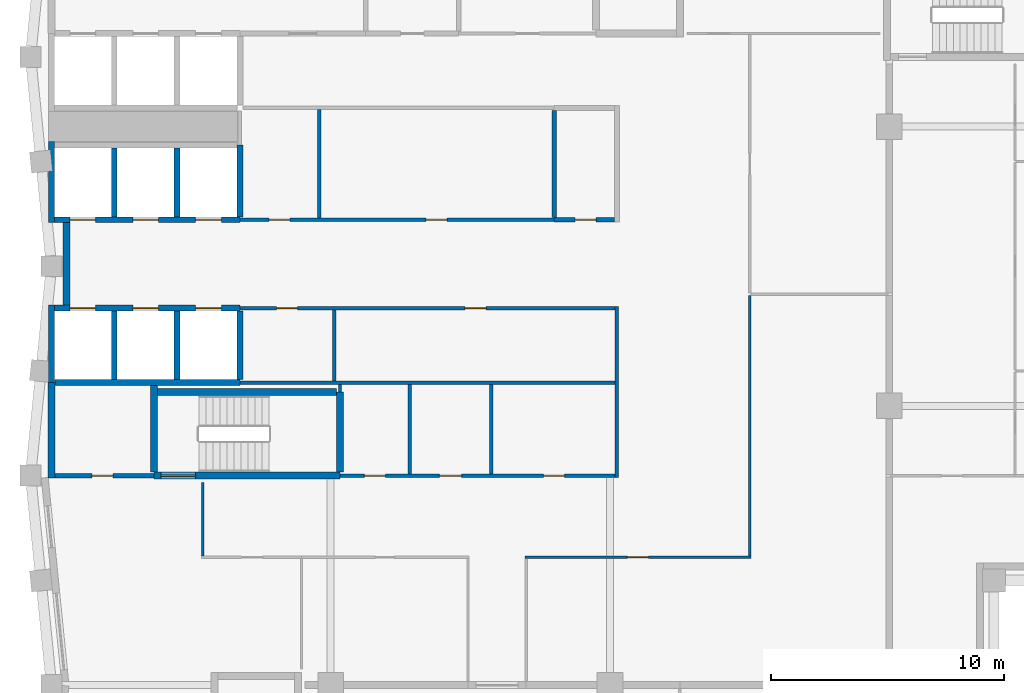
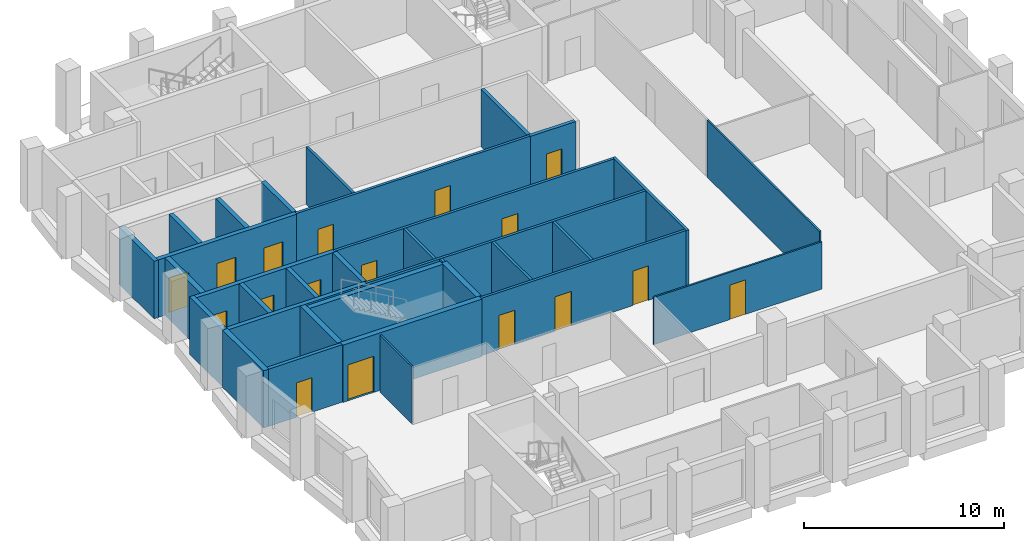
# One storey, part 3 of 7: 33 walls, 17 doors, 17 openings.
"""IFC4 building model written with IfcOpenShell, lengths in metres."""

from ifc_helpers import new_model, si_unit, direction, frame, frame_2d, origin, place, context, subcontext, project, spatial, rectangle, extrude, material, layer, layer_set, type_object, element, fill, save


model = new_model("IFC4")

# Units and contexts
model_context = context("Model", 3, precision=1e-05, world=origin(), true_north=direction((0.0, 1.0)))
body_context = subcontext(model_context, "Body", "Model", "MODEL_VIEW")
ifc_project = project(units=[si_unit("LENGTHUNIT", "METRE"), si_unit("AREAUNIT", "SQUARE_METRE"), si_unit("VOLUMEUNIT", "CUBIC_METRE"), si_unit("PLANEANGLEUNIT", "RADIAN"), si_unit("MASSUNIT", "GRAM", prefix="KILO")], contexts=[model_context])

# Site, building, storey
site_placement = place(None, origin())
site = spatial("IfcSite", under=ifc_project, at=site_placement, CompositionType="ELEMENT")
building_placement = place(site_placement, origin())
building = spatial("IfcBuilding", under=site, at=building_placement, Name="Brondeck Convention Tower", CompositionType="ELEMENT")
storey_placement = place(building_placement, frame((0.0, 0.0, 271.39990234375)))
storey = spatial("IfcBuildingStorey", under=building, at=storey_placement, Name="L67", CompositionType="ELEMENT", Elevation=271.39990234375)

# Wall, openings, doors
ifc_material_1 = material(Name="Concrete C50/60", Category="concrete")
ifc_layer_1 = layer(ifc_material_1, 0.14990234375)
ifc_layer_set_1 = layer_set([ifc_layer_1], Name="Core beam-seat wall 150 Concrete C50/60")
wall_type_1 = type_object("IfcWallType", Name="Core beam-seat wall 150 Concrete C50/60", PredefinedType="SHEAR", material=ifc_layer_set_1)
wall_1_placement = place(storey_placement, frame((12.39990234375, 36.0, 0.0), z_axis=(0.0, 0.0, 1.0), x_axis=(1.0, 0.0, 0.0)))
wall_1 = element("IfcWall", 1, at=wall_1_placement, inside=storey, type_object=wall_type_1, Name="L67 core wall", PredefinedType="SHEAR", context=body_context, shape_type="SweptSolid", body=[
    extrude(rectangle(XDim=11.8251953125, YDim=0.14990234375, at=frame_2d((5.91259765625, 0.0))), origin(), (0.0, 0.0, 1.0), 3.5),
])
opening_1_placement = place(wall_1_placement, frame((1.050048828125, 0.0, 0.0)))
opening_1 = element("IfcOpeningElement", 2, at=opening_1_placement, cuts=wall_1, Name="Opening C37-03", PredefinedType="OPENING", context=body_context, shape_type="SweptSolid", body=[
    extrude(rectangle(XDim=0.89990234375, YDim=2.10009765625, at=frame_2d((0.449951171875, 1.050048828125))), frame((0.0, 0.0849609375, 0.0), z_axis=(0.0, -1.0, 0.0), x_axis=(1.0, 0.0, 0.0)), (0.0, 0.0, 1.0), 0.169921875),
])
opening_2_placement = place(wall_1_placement, frame((4.27490234375, 0.0, 0.0)))
opening_2 = element("IfcOpeningElement", 3, at=opening_2_placement, cuts=wall_1, Name="Opening C37-04", PredefinedType="OPENING", context=body_context, shape_type="SweptSolid", body=[
    extrude(rectangle(XDim=0.949951171875, YDim=2.10009765625, at=frame_2d((0.47509765625, 1.050048828125))), frame((0.0, 0.0849609375, 0.0), z_axis=(0.0, -1.0, 0.0), x_axis=(1.0, 0.0, 0.0)), (0.0, 0.0, 1.0), 0.169921875),
])
opening_3_placement = place(wall_1_placement, frame((8.75, 0.0, 0.0)))
opening_3 = element("IfcOpeningElement", 4, at=opening_3_placement, cuts=wall_1, Name="Opening C37-05", PredefinedType="OPENING", context=body_context, shape_type="SweptSolid", body=[
    extrude(rectangle(XDim=0.89990234375, YDim=2.10009765625, at=frame_2d((0.449951171875, 1.050048828125))), frame((0.0, 0.0849609375, 0.0), z_axis=(0.0, -1.0, 0.0), x_axis=(1.0, 0.0, 0.0)), (0.0, 0.0, 1.0), 0.169921875),
])
ifc_material_2 = material(Name="Steel fire door", Category="steel")
door_type_1 = type_object("IfcDoorType", Name="Room door 900x2100 EI 60", OperationType="NOTDEFINED", PredefinedType="DOOR", material=ifc_material_2)
door_1_placement = place(opening_1_placement, origin())
door_1 = element("IfcDoor", 5, at=door_1_placement, inside=storey, type_object=door_type_1, Name="L67 Room door FR-1", OperationType="SINGLE_SWING_RIGHT", OverallHeight=2.10009765625, OverallWidth=0.89990234375, PredefinedType="DOOR", context=body_context, shape_type="SweptSolid", body=[
    extrude(rectangle(XDim=0.89990234375, YDim=2.10009765625, at=frame_2d((0.449951171875, 1.050048828125))), frame((0.0, 0.02490234375, 0.0), z_axis=(0.0, -1.0, 0.0), x_axis=(1.0, 0.0, 0.0)), (0.0, 0.0, 1.0), 0.050048828125),
])
fill(opening_1, door_1)
door_2_placement = place(opening_3_placement, origin())
door_2 = element("IfcDoor", 6, at=door_2_placement, inside=storey, type_object=door_type_1, Name="L67 Room door FR-3", OperationType="SINGLE_SWING_RIGHT", OverallHeight=2.10009765625, OverallWidth=0.89990234375, PredefinedType="DOOR", context=body_context, shape_type="SweptSolid", body=[
    extrude(rectangle(XDim=0.89990234375, YDim=2.10009765625, at=frame_2d((0.449951171875, 1.050048828125))), frame((0.0, 0.02490234375, 0.0), z_axis=(0.0, -1.0, 0.0), x_axis=(1.0, 0.0, 0.0)), (0.0, 0.0, 1.0), 0.050048828125),
])
fill(opening_3, door_2)
door_type_2 = type_object("IfcDoorType", Name="Room door 950x2100 EI 60", OperationType="NOTDEFINED", PredefinedType="DOOR", material=ifc_material_2)
door_3_placement = place(opening_2_placement, origin())
door_3 = element("IfcDoor", 7, at=door_3_placement, inside=storey, type_object=door_type_2, Name="L67 Room door FR-2", OperationType="SINGLE_SWING_LEFT", OverallHeight=2.10009765625, OverallWidth=0.949951171875, PredefinedType="DOOR", context=body_context, shape_type="SweptSolid", body=[
    extrude(rectangle(XDim=0.949951171875, YDim=2.10009765625, at=frame_2d((0.47509765625, 1.050048828125))), frame((0.0, 0.02490234375, 0.0), z_axis=(0.0, -1.0, 0.0), x_axis=(1.0, 0.0, 0.0)), (0.0, 0.0, 1.0), 0.050048828125),
])
fill(opening_2, door_3)

# Walls
ifc_layer_2 = layer(ifc_material_1, 0.300048828125)
ifc_layer_set_2 = layer_set([ifc_layer_2], Name="Core outer wall 300 Concrete C50/60")
wall_type_2 = type_object("IfcWallType", Name="Core outer wall 300 Concrete C50/60", PredefinedType="SHEAR", material=ifc_layer_set_2)
wall_2_placement = place(storey_placement, frame((0.0, 35.89990234375, 0.0), z_axis=(0.0, 0.0, 1.0), x_axis=(0.0, 1.0, 0.0)))
element("IfcWall", 8, at=wall_2_placement, inside=storey, type_object=wall_type_2, Name="L67 core wall", PredefinedType="SHEAR", context=body_context, shape_type="SweptSolid", body=[
    extrude(rectangle(XDim=4.10009765625, YDim=0.300048828125, at=frame_2d((2.050048828125, 0.0))), origin(), (0.0, 0.0, 1.0), 3.5),
])
wall_3_placement = place(storey_placement, frame((0.64990234375, 43.324951171875, 0.0), z_axis=(0.0, 0.0, 1.0), x_axis=(0.0, 1.0, 0.0)))
element("IfcWall", 9, at=wall_3_placement, inside=storey, type_object=wall_type_2, Name="L67 core wall", PredefinedType="SHEAR", context=body_context, shape_type="SweptSolid", body=[
    extrude(rectangle(XDim=3.550048828125, YDim=0.300048828125, at=frame_2d((1.77490234375, 0.0))), origin(), (0.0, 0.0, 1.0), 3.5),
])
ifc_material_3 = material(Name="Fire-rated gypsum board partition")
ifc_layer_3 = layer(ifc_material_3, 0.14990234375)
ifc_layer_set_3 = layer_set([ifc_layer_3], Name="Core partition 150 EI 60")
wall_type_3 = type_object("IfcWallType", Name="Core partition 150 EI 60", PredefinedType="PARTITIONING", material=ifc_layer_set_3)
wall_4_placement = place(storey_placement, frame((8.10009765625, 40.0, 0.0), z_axis=(0.0, 0.0, 1.0), x_axis=(1.0, 0.0, 0.0)))
element("IfcWall", 10, at=wall_4_placement, inside=storey, type_object=wall_type_3, Name="L67 core wall", PredefinedType="PARTITIONING", context=body_context, shape_type="SweptSolid", body=[
    extrude(rectangle(XDim=16.125, YDim=0.14990234375, at=frame_2d((8.0625, 0.0))), origin(), (0.0, 0.0, 1.0), 3.5),
])

# Wall, openings, doors
wall_5_placement = place(storey_placement, frame((8.10009765625, 43.199951171875, 0.0), z_axis=(0.0, 0.0, 1.0), x_axis=(1.0, 0.0, 0.0)))
wall_5 = element("IfcWall", 11, at=wall_5_placement, inside=storey, type_object=wall_type_3, Name="L67 core wall", PredefinedType="PARTITIONING", context=body_context, shape_type="SweptSolid", body=[
    extrude(rectangle(XDim=16.125, YDim=0.14990234375, at=frame_2d((8.0625, 0.0))), origin(), (0.0, 0.0, 1.0), 3.5),
])
opening_4_placement = place(wall_5_placement, frame((1.574951171875, 0.0, 0.0)))
opening_4 = element("IfcOpeningElement", 12, at=opening_4_placement, cuts=wall_5, Name="Opening C37-09", PredefinedType="OPENING", context=body_context, shape_type="SweptSolid", body=[
    extrude(rectangle(XDim=0.89990234375, YDim=2.10009765625, at=frame_2d((0.449951171875, 1.050048828125))), frame((0.0, 0.0849609375, 0.0), z_axis=(0.0, -1.0, 0.0), x_axis=(1.0, 0.0, 0.0)), (0.0, 0.0, 1.0), 0.169921875),
])
opening_5_placement = place(wall_5_placement, frame((9.675048828125, 0.0, 0.0)))
opening_5 = element("IfcOpeningElement", 13, at=opening_5_placement, cuts=wall_5, Name="Opening C37-10", PredefinedType="OPENING", context=body_context, shape_type="SweptSolid", body=[
    extrude(rectangle(XDim=0.89990234375, YDim=2.10009765625, at=frame_2d((0.449951171875, 1.050048828125))), frame((0.0, 0.0849609375, 0.0), z_axis=(0.0, -1.0, 0.0), x_axis=(1.0, 0.0, 0.0)), (0.0, 0.0, 1.0), 0.169921875),
])
door_4_placement = place(opening_4_placement, origin())
door_4 = element("IfcDoor", 14, at=door_4_placement, inside=storey, type_object=door_type_1, Name="L67 Room door FZ-S-8.1-1", OperationType="SINGLE_SWING_RIGHT", OverallHeight=2.10009765625, OverallWidth=0.89990234375, PredefinedType="DOOR", context=body_context, shape_type="SweptSolid", body=[
    extrude(rectangle(XDim=0.89990234375, YDim=2.10009765625, at=frame_2d((0.449951171875, 1.050048828125))), frame((0.0, 0.02490234375, 0.0), z_axis=(0.0, -1.0, 0.0), x_axis=(1.0, 0.0, 0.0)), (0.0, 0.0, 1.0), 0.050048828125),
])
fill(opening_4, door_4)
door_5_placement = place(opening_5_placement, origin())
door_5 = element("IfcDoor", 15, at=door_5_placement, inside=storey, type_object=door_type_1, Name="L67 Room door FZ-S-8.1-2", OperationType="SINGLE_SWING_LEFT", OverallHeight=2.10009765625, OverallWidth=0.89990234375, PredefinedType="DOOR", context=body_context, shape_type="SweptSolid", body=[
    extrude(rectangle(XDim=0.89990234375, YDim=2.10009765625, at=frame_2d((0.449951171875, 1.050048828125))), frame((0.0, 0.02490234375, 0.0), z_axis=(0.0, -1.0, 0.0), x_axis=(1.0, 0.0, 0.0)), (0.0, 0.0, 1.0), 0.050048828125),
])
fill(opening_5, door_5)

wall_6_placement = place(storey_placement, frame((8.10009765625, 47.0, 0.0), z_axis=(0.0, 0.0, 1.0), x_axis=(1.0, 0.0, 0.0)))
wall_6 = element("IfcWall", 16, at=wall_6_placement, inside=storey, type_object=wall_type_3, Name="L67 core wall", PredefinedType="PARTITIONING", context=body_context, shape_type="SweptSolid", body=[
    extrude(rectangle(XDim=13.5, YDim=0.14990234375, at=frame_2d((6.75, 0.0))), origin(), (0.0, 0.0, 1.0), 3.5),
])
opening_6_placement = place(wall_6_placement, frame((1.25, 0.0, 0.0)))
opening_6 = element("IfcOpeningElement", 17, at=opening_6_placement, cuts=wall_6, Name="Opening C37-07", PredefinedType="OPENING", context=body_context, shape_type="SweptSolid", body=[
    extrude(rectangle(XDim=0.89990234375, YDim=2.10009765625, at=frame_2d((0.449951171875, 1.050048828125))), frame((0.0, 0.0849609375, 0.0), z_axis=(0.0, -1.0, 0.0), x_axis=(1.0, 0.0, 0.0)), (0.0, 0.0, 1.0), 0.169921875),
])
opening_7_placement = place(wall_6_placement, frame((8.0, 0.0, 0.0)))
opening_7 = element("IfcOpeningElement", 18, at=opening_7_placement, cuts=wall_6, Name="Opening C37-08", PredefinedType="OPENING", context=body_context, shape_type="SweptSolid", body=[
    extrude(rectangle(XDim=0.89990234375, YDim=2.10009765625, at=frame_2d((0.449951171875, 1.050048828125))), frame((0.0, 0.0849609375, 0.0), z_axis=(0.0, -1.0, 0.0), x_axis=(1.0, 0.0, 0.0)), (0.0, 0.0, 1.0), 0.169921875),
])
door_6_placement = place(opening_6_placement, origin())
door_6 = element("IfcDoor", 19, at=door_6_placement, inside=storey, type_object=door_type_1, Name="L67 Room door FZ-N-8.1-1", OperationType="SINGLE_SWING_LEFT", OverallHeight=2.10009765625, OverallWidth=0.89990234375, PredefinedType="DOOR", context=body_context, shape_type="SweptSolid", body=[
    extrude(rectangle(XDim=0.89990234375, YDim=2.10009765625, at=frame_2d((0.449951171875, 1.050048828125))), frame((0.0, 0.02490234375, 0.0), z_axis=(0.0, -1.0, 0.0), x_axis=(1.0, 0.0, 0.0)), (0.0, 0.0, 1.0), 0.050048828125),
])
fill(opening_6, door_6)
door_7_placement = place(opening_7_placement, origin())
door_7 = element("IfcDoor", 20, at=door_7_placement, inside=storey, type_object=door_type_1, Name="L67 Room door FZ-N-8.1-2", OperationType="SINGLE_SWING_RIGHT", OverallHeight=2.10009765625, OverallWidth=0.89990234375, PredefinedType="DOOR", context=body_context, shape_type="SweptSolid", body=[
    extrude(rectangle(XDim=0.89990234375, YDim=2.10009765625, at=frame_2d((0.449951171875, 1.050048828125))), frame((0.0, 0.02490234375, 0.0), z_axis=(0.0, -1.0, 0.0), x_axis=(1.0, 0.0, 0.0)), (0.0, 0.0, 1.0), 0.050048828125),
])
fill(opening_7, door_7)

# Walls
wall_7_placement = place(storey_placement, frame((11.5, 47.074951171875, 0.0), z_axis=(0.0, 0.0, 1.0), x_axis=(0.0, 1.0, 0.0)))
element("IfcWall", 21, at=wall_7_placement, inside=storey, type_object=wall_type_3, Name="L67 core wall", PredefinedType="PARTITIONING", context=body_context, shape_type="SweptSolid", body=[
    extrude(rectangle(XDim=4.650146484375, YDim=0.14990234375, at=frame_2d((2.3251953125, 0.0))), origin(), (0.0, 0.0, 1.0), 3.5),
])
wall_8_placement = place(storey_placement, frame((12.14990234375, 40.074951171875, 0.0), z_axis=(0.0, 0.0, 1.0), x_axis=(0.0, 1.0, 0.0)))
element("IfcWall", 22, at=wall_8_placement, inside=storey, type_object=wall_type_3, Name="L67 core wall", PredefinedType="PARTITIONING", context=body_context, shape_type="SweptSolid", body=[
    extrude(rectangle(XDim=3.050048828125, YDim=0.14990234375, at=frame_2d((1.52490234375, 0.0))), origin(), (0.0, 0.0, 1.0), 3.5),
])
wall_9_placement = place(storey_placement, frame((12.39990234375, 39.60009765625, 0.0), z_axis=(0.0, 0.0, 1.0), x_axis=(0.0, 1.0, 0.0)))
element("IfcWall", 23, at=wall_9_placement, inside=storey, type_object=wall_type_3, Name="L67 core wall", PredefinedType="PARTITIONING", context=body_context, shape_type="SweptSolid", body=[
    extrude(rectangle(XDim=0.324951171875, YDim=0.14990234375, at=frame_2d((0.16259765625, 0.0))), origin(), (0.0, 0.0, 1.0), 3.5),
])
for number, where, z_axis, x_axis, name in (
    (24, (15.39990234375, 36.074951171875, 0.0), (0.0, 0.0, 1.0), (0.0, 1.0, 0.0), "L67 core wall"),
    (25, (18.89990234375, 36.074951171875, 0.0), (0.0, 0.0, 1.0), (0.0, 1.0, 0.0), "L67 core wall"),
):
    element("IfcWall", number, at=place(storey_placement, frame(where, z_axis=z_axis, x_axis=x_axis)), inside=storey, type_object=wall_type_3, Name=name, PredefinedType="PARTITIONING", context=body_context, shape_type="SweptSolid", body=[
        extrude(rectangle(XDim=3.85009765625, YDim=0.14990234375, at=frame_2d((1.925048828125, 0.0))), origin(), (0.0, 0.0, 1.0), 3.5),
    ])
wall_10_placement = place(storey_placement, frame((24.300048828125, 35.925048828125, 0.0), z_axis=(0.0, 0.0, 1.0), x_axis=(0.0, 1.0, 0.0)))
element("IfcWall", 26, at=wall_10_placement, inside=storey, type_object=wall_type_3, Name="L67 core wall", PredefinedType="PARTITIONING", context=body_context, shape_type="SweptSolid", body=[
    extrude(rectangle(XDim=7.349853515625, YDim=0.14990234375, at=frame_2d((3.6748046875, 0.0))), origin(), (0.0, 0.0, 1.0), 3.5),
])
ifc_layer_4 = layer(ifc_material_1, 0.25)
ifc_layer_set_4 = layer_set([ifc_layer_4], Name="Lift shaft wall 250 Concrete C50/60")
wall_type_4 = type_object("IfcWallType", Name="Lift shaft wall 250 Concrete C50/60", PredefinedType="SHEAR", material=ifc_layer_set_4)
wall_11_placement = place(storey_placement, frame((0.14990234375, 40.0, 0.0), z_axis=(0.0, 0.0, 1.0), x_axis=(1.0, 0.0, 0.0)))
element("IfcWall", 27, at=wall_11_placement, inside=storey, type_object=wall_type_4, Name="L67 core wall", PredefinedType="SHEAR", context=body_context, shape_type="SweptSolid", body=[
    extrude(rectangle(XDim=7.9501953125, YDim=0.25, at=frame_2d((3.97509765625, 0.0))), origin(), (0.0, 0.0, 1.0), 3.5),
])

# Wall, openings, doors
wall_12_placement = place(storey_placement, frame((0.125, 43.199951171875, 0.0), z_axis=(0.0, 0.0, 1.0), x_axis=(1.0, 0.0, 0.0)))
wall_12 = element("IfcWall", 28, at=wall_12_placement, inside=storey, type_object=wall_type_4, Name="L67 core wall", PredefinedType="SHEAR", context=body_context, shape_type="SweptSolid", body=[
    extrude(rectangle(XDim=7.97509765625, YDim=0.25, at=frame_2d((3.987548828125, 0.0))), origin(), (0.0, 0.0, 1.0), 3.5),
])
opening_8_placement = place(wall_12_placement, frame((0.675048828125, 0.0, 0.0)))
opening_8 = element("IfcOpeningElement", 29, at=opening_8_placement, cuts=wall_12, Name="Opening C37-21", PredefinedType="OPENING", context=body_context, shape_type="SweptSolid", body=[
    extrude(rectangle(XDim=1.10009765625, YDim=2.10009765625, at=frame_2d((0.550048828125, 1.050048828125))), frame((0.0, 0.135009765625, 0.0), z_axis=(0.0, -1.0, 0.0), x_axis=(1.0, 0.0, 0.0)), (0.0, 0.0, 1.0), 0.27001953125),
])
opening_9_placement = place(wall_12_placement, frame((3.375, 0.0, 0.0)))
opening_9 = element("IfcOpeningElement", 30, at=opening_9_placement, cuts=wall_12, Name="Opening C37-22", PredefinedType="OPENING", context=body_context, shape_type="SweptSolid", body=[
    extrude(rectangle(XDim=1.10009765625, YDim=2.10009765625, at=frame_2d((0.550048828125, 1.050048828125))), frame((0.0, 0.135009765625, 0.0), z_axis=(0.0, -1.0, 0.0), x_axis=(1.0, 0.0, 0.0)), (0.0, 0.0, 1.0), 0.27001953125),
])
opening_10_placement = place(wall_12_placement, frame((6.074951171875, 0.0, 0.0)))
opening_10 = element("IfcOpeningElement", 31, at=opening_10_placement, cuts=wall_12, Name="Opening C37-23", PredefinedType="OPENING", context=body_context, shape_type="SweptSolid", body=[
    extrude(rectangle(XDim=1.10009765625, YDim=2.10009765625, at=frame_2d((0.550048828125, 1.050048828125))), frame((0.0, 0.135009765625, 0.0), z_axis=(0.0, -1.0, 0.0), x_axis=(1.0, 0.0, 0.0)), (0.0, 0.0, 1.0), 0.27001953125),
])
ifc_material_4 = material(Name="Stainless steel lift door", Category="steel")
door_type_3 = type_object("IfcDoorType", Name="Lift landing door 1100x2100 EI 180", OperationType="DOUBLE_DOOR_SLIDING", PredefinedType="DOOR", material=ifc_material_4)
door_8_placement = place(opening_8_placement, origin())
door_8 = element("IfcDoor", 32, at=door_8_placement, inside=storey, type_object=door_type_3, Name="L67 Lift landing door HR1", OperationType="DOUBLE_DOOR_SLIDING", OverallHeight=2.10009765625, OverallWidth=1.10009765625, PredefinedType="DOOR", context=body_context, shape_type="SweptSolid", body=[
    extrude(rectangle(XDim=1.10009765625, YDim=2.10009765625, at=frame_2d((0.550048828125, 1.050048828125))), frame((0.0, 0.02490234375, 0.0), z_axis=(0.0, -1.0, 0.0), x_axis=(1.0, 0.0, 0.0)), (0.0, 0.0, 1.0), 0.050048828125),
])
fill(opening_8, door_8)
door_9_placement = place(opening_9_placement, origin())
door_9 = element("IfcDoor", 33, at=door_9_placement, inside=storey, type_object=door_type_3, Name="L67 Lift landing door HR2", OperationType="DOUBLE_DOOR_SLIDING", OverallHeight=2.10009765625, OverallWidth=1.10009765625, PredefinedType="DOOR", context=body_context, shape_type="SweptSolid", body=[
    extrude(rectangle(XDim=1.10009765625, YDim=2.10009765625, at=frame_2d((0.550048828125, 1.050048828125))), frame((0.0, 0.02490234375, 0.0), z_axis=(0.0, -1.0, 0.0), x_axis=(1.0, 0.0, 0.0)), (0.0, 0.0, 1.0), 0.050048828125),
])
fill(opening_9, door_9)
door_10_placement = place(opening_10_placement, origin())
door_10 = element("IfcDoor", 34, at=door_10_placement, inside=storey, type_object=door_type_3, Name="L67 Lift landing door HR3", OperationType="DOUBLE_DOOR_SLIDING", OverallHeight=2.10009765625, OverallWidth=1.10009765625, PredefinedType="DOOR", context=body_context, shape_type="SweptSolid", body=[
    extrude(rectangle(XDim=1.10009765625, YDim=2.10009765625, at=frame_2d((0.550048828125, 1.050048828125))), frame((0.0, 0.02490234375, 0.0), z_axis=(0.0, -1.0, 0.0), x_axis=(1.0, 0.0, 0.0)), (0.0, 0.0, 1.0), 0.050048828125),
])
fill(opening_10, door_10)

wall_13_placement = place(storey_placement, frame((0.125, 47.0, 0.0), z_axis=(0.0, 0.0, 1.0), x_axis=(1.0, 0.0, 0.0)))
wall_13 = element("IfcWall", 35, at=wall_13_placement, inside=storey, type_object=wall_type_4, Name="L67 core wall", PredefinedType="SHEAR", context=body_context, shape_type="SweptSolid", body=[
    extrude(rectangle(XDim=7.97509765625, YDim=0.25, at=frame_2d((3.987548828125, 0.0))), origin(), (0.0, 0.0, 1.0), 3.5),
])
opening_11_placement = place(wall_13_placement, frame((0.675048828125, 0.0, 0.0)))
opening_11 = element("IfcOpeningElement", 36, at=opening_11_placement, cuts=wall_13, Name="Opening C37-24", PredefinedType="OPENING", context=body_context, shape_type="SweptSolid", body=[
    extrude(rectangle(XDim=1.10009765625, YDim=2.10009765625, at=frame_2d((0.550048828125, 1.050048828125))), frame((0.0, 0.135009765625, 0.0), z_axis=(0.0, -1.0, 0.0), x_axis=(1.0, 0.0, 0.0)), (0.0, 0.0, 1.0), 0.27001953125),
])
opening_12_placement = place(wall_13_placement, frame((3.375, 0.0, 0.0)))
opening_12 = element("IfcOpeningElement", 37, at=opening_12_placement, cuts=wall_13, Name="Opening C37-25", PredefinedType="OPENING", context=body_context, shape_type="SweptSolid", body=[
    extrude(rectangle(XDim=1.10009765625, YDim=2.10009765625, at=frame_2d((0.550048828125, 1.050048828125))), frame((0.0, 0.135009765625, 0.0), z_axis=(0.0, -1.0, 0.0), x_axis=(1.0, 0.0, 0.0)), (0.0, 0.0, 1.0), 0.27001953125),
])
opening_13_placement = place(wall_13_placement, frame((6.074951171875, 0.0, 0.0)))
opening_13 = element("IfcOpeningElement", 38, at=opening_13_placement, cuts=wall_13, Name="Opening C37-26", PredefinedType="OPENING", context=body_context, shape_type="SweptSolid", body=[
    extrude(rectangle(XDim=1.10009765625, YDim=2.10009765625, at=frame_2d((0.550048828125, 1.050048828125))), frame((0.0, 0.135009765625, 0.0), z_axis=(0.0, -1.0, 0.0), x_axis=(1.0, 0.0, 0.0)), (0.0, 0.0, 1.0), 0.27001953125),
])
door_11_placement = place(opening_11_placement, origin())
door_11 = element("IfcDoor", 39, at=door_11_placement, inside=storey, type_object=door_type_3, Name="L67 Lift landing door HR4", OperationType="DOUBLE_DOOR_SLIDING", OverallHeight=2.10009765625, OverallWidth=1.10009765625, PredefinedType="DOOR", context=body_context, shape_type="SweptSolid", body=[
    extrude(rectangle(XDim=1.10009765625, YDim=2.10009765625, at=frame_2d((0.550048828125, 1.050048828125))), frame((0.0, 0.02490234375, 0.0), z_axis=(0.0, -1.0, 0.0), x_axis=(1.0, 0.0, 0.0)), (0.0, 0.0, 1.0), 0.050048828125),
])
fill(opening_11, door_11)
door_12_placement = place(opening_12_placement, origin())
door_12 = element("IfcDoor", 40, at=door_12_placement, inside=storey, type_object=door_type_3, Name="L67 Lift landing door HR5", OperationType="DOUBLE_DOOR_SLIDING", OverallHeight=2.10009765625, OverallWidth=1.10009765625, PredefinedType="DOOR", context=body_context, shape_type="SweptSolid", body=[
    extrude(rectangle(XDim=1.10009765625, YDim=2.10009765625, at=frame_2d((0.550048828125, 1.050048828125))), frame((0.0, 0.02490234375, 0.0), z_axis=(0.0, -1.0, 0.0), x_axis=(1.0, 0.0, 0.0)), (0.0, 0.0, 1.0), 0.050048828125),
])
fill(opening_12, door_12)
door_13_placement = place(opening_13_placement, origin())
door_13 = element("IfcDoor", 41, at=door_13_placement, inside=storey, type_object=door_type_3, Name="L67 Lift landing door HR6", OperationType="DOUBLE_DOOR_SLIDING", OverallHeight=2.10009765625, OverallWidth=1.10009765625, PredefinedType="DOOR", context=body_context, shape_type="SweptSolid", body=[
    extrude(rectangle(XDim=1.10009765625, YDim=2.10009765625, at=frame_2d((0.550048828125, 1.050048828125))), frame((0.0, 0.02490234375, 0.0), z_axis=(0.0, -1.0, 0.0), x_axis=(1.0, 0.0, 0.0)), (0.0, 0.0, 1.0), 0.050048828125),
])
fill(opening_13, door_13)

# Walls
wall_14_placement = place(storey_placement, frame((0.0, 40.0, 0.0), z_axis=(0.0, 0.0, 1.0), x_axis=(0.0, 1.0, 0.0)))
element("IfcWall", 42, at=wall_14_placement, inside=storey, type_object=wall_type_4, Name="L67 core wall", PredefinedType="SHEAR", context=body_context, shape_type="SweptSolid", body=[
    extrude(rectangle(XDim=3.324951171875, YDim=0.25, at=frame_2d((1.66259765625, 0.0))), origin(), (0.0, 0.0, 1.0), 3.5),
])
wall_15_placement = place(storey_placement, frame((0.0, 46.875, 0.0), z_axis=(0.0, 0.0, 1.0), x_axis=(0.0, 1.0, 0.0)))
element("IfcWall", 43, at=wall_15_placement, inside=storey, type_object=wall_type_4, Name="L67 core wall", PredefinedType="SHEAR", context=body_context, shape_type="SweptSolid", body=[
    extrude(rectangle(XDim=3.47509765625, YDim=0.25, at=frame_2d((1.737548828125, 0.0))), origin(), (0.0, 0.0, 1.0), 3.5),
])
for number, where, z_axis, x_axis, name in (
    (44, (2.699951171875, 40.125, 0.0), (0.0, 0.0, 1.0), (0.0, 1.0, 0.0), "L67 core wall"),
    (45, (2.699951171875, 47.125, 0.0), (0.0, 0.0, 1.0), (0.0, 1.0, 0.0), "L67 core wall"),
    (46, (5.39990234375, 40.125, 0.0), (0.0, 0.0, 1.0), (0.0, 1.0, 0.0), "L67 core wall"),
    (47, (5.39990234375, 47.125, 0.0), (0.0, 0.0, 1.0), (0.0, 1.0, 0.0), "L67 core wall"),
    (48, (8.10009765625, 40.125, 0.0), (0.0, 0.0, 1.0), (0.0, 1.0, 0.0), "L67 core wall"),
):
    element("IfcWall", number, at=place(storey_placement, frame(where, z_axis=z_axis, x_axis=x_axis)), inside=storey, type_object=wall_type_4, Name=name, PredefinedType="SHEAR", context=body_context, shape_type="SweptSolid", body=[
        extrude(rectangle(XDim=2.949951171875, YDim=0.25, at=frame_2d((1.47509765625, 0.0))), origin(), (0.0, 0.0, 1.0), 3.5),
    ])
wall_16_placement = place(storey_placement, frame((8.10009765625, 47.125, 0.0), z_axis=(0.0, 0.0, 1.0), x_axis=(0.0, 1.0, 0.0)))
element("IfcWall", 49, at=wall_16_placement, inside=storey, type_object=wall_type_4, Name="L67 core wall", PredefinedType="SHEAR", context=body_context, shape_type="SweptSolid", body=[
    extrude(rectangle(XDim=3.074951171875, YDim=0.25, at=frame_2d((1.53759765625, 0.0))), origin(), (0.0, 0.0, 1.0), 3.5),
])

# Wall, opening, door
ifc_layer_5 = layer(ifc_material_3, 0.199951171875)
ifc_layer_set_5 = layer_set([ifc_layer_5], Name="Riser wall 200 EI 120")
wall_type_5 = type_object("IfcWallType", Name="Riser wall 200 EI 120", PredefinedType="PARTITIONING", material=ifc_layer_set_5)
wall_17_placement = place(storey_placement, frame((0.14990234375, 36.0, 0.0), z_axis=(0.0, 0.0, 1.0), x_axis=(1.0, 0.0, 0.0)))
wall_17 = element("IfcWall", 50, at=wall_17_placement, inside=storey, type_object=wall_type_5, Name="L67 core wall", PredefinedType="PARTITIONING", context=body_context, shape_type="SweptSolid", body=[
    extrude(rectangle(XDim=4.25, YDim=0.199951171875, at=frame_2d((2.125, 0.0))), origin(), (0.0, 0.0, 1.0), 3.5),
])
opening_14_placement = place(wall_17_placement, frame((1.60009765625, 0.0, 0.0)))
opening_14 = element("IfcOpeningElement", 51, at=opening_14_placement, cuts=wall_17, Name="Opening C37-06", PredefinedType="OPENING", context=body_context, shape_type="SweptSolid", body=[
    extrude(rectangle(XDim=0.89990234375, YDim=2.10009765625, at=frame_2d((0.449951171875, 1.050048828125))), frame((0.0, 0.10986328125, 0.0), z_axis=(0.0, -1.0, 0.0), x_axis=(1.0, 0.0, 0.0)), (0.0, 0.0, 1.0), 0.219970703125),
])
door_type_4 = type_object("IfcDoorType", Name="Riser door 900x2100 EI 120", OperationType="NOTDEFINED", PredefinedType="DOOR", material=ifc_material_2)
door_14_placement = place(opening_14_placement, origin())
door_14 = element("IfcDoor", 52, at=door_14_placement, inside=storey, type_object=door_type_4, Name="L67 Riser door FRW-1", OperationType="SINGLE_SWING_LEFT", OverallHeight=2.10009765625, OverallWidth=0.89990234375, PredefinedType="DOOR", context=body_context, shape_type="SweptSolid", body=[
    extrude(rectangle(XDim=0.89990234375, YDim=2.10009765625, at=frame_2d((0.449951171875, 1.050048828125))), frame((0.0, 0.02490234375, 0.0), z_axis=(0.0, -1.0, 0.0), x_axis=(1.0, 0.0, 0.0)), (0.0, 0.0, 1.0), 0.050048828125),
])
fill(opening_14, door_14)

wall_18_placement = place(storey_placement, frame((21.60009765625, 47.0, 0.0), z_axis=(0.0, 0.0, 1.0), x_axis=(1.0, 0.0, 0.0)))
wall_18 = element("IfcWall", 53, at=wall_18_placement, inside=storey, type_object=wall_type_5, Name="L67 core wall", PredefinedType="PARTITIONING", context=body_context, shape_type="SweptSolid", body=[
    extrude(rectangle(XDim=2.599853515625, YDim=0.199951171875, at=frame_2d((1.2998046875, 0.0))), origin(), (0.0, 0.0, 1.0), 3.5),
])
opening_15_placement = place(wall_18_placement, frame((0.89990234375, 0.0, 0.0)))
opening_15 = element("IfcOpeningElement", 54, at=opening_15_placement, cuts=wall_18, Name="Opening C37-02", PredefinedType="OPENING", context=body_context, shape_type="SweptSolid", body=[
    extrude(rectangle(XDim=0.89990234375, YDim=2.10009765625, at=frame_2d((0.449951171875, 1.050048828125))), frame((0.0, 0.10986328125, 0.0), z_axis=(0.0, -1.0, 0.0), x_axis=(1.0, 0.0, 0.0)), (0.0, 0.0, 1.0), 0.219970703125),
])
door_15_placement = place(opening_15_placement, origin())
door_15 = element("IfcDoor", 55, at=door_15_placement, inside=storey, type_object=door_type_4, Name="L67 Riser door EN-1", OperationType="SINGLE_SWING_LEFT", OverallHeight=2.10009765625, OverallWidth=0.89990234375, PredefinedType="DOOR", context=body_context, shape_type="SweptSolid", body=[
    extrude(rectangle(XDim=0.89990234375, YDim=2.10009765625, at=frame_2d((0.449951171875, 1.050048828125))), frame((0.0, 0.02490234375, 0.0), z_axis=(0.0, -1.0, 0.0), x_axis=(1.0, 0.0, 0.0)), (0.0, 0.0, 1.0), 0.050048828125),
])
fill(opening_15, door_15)

# Wall
wall_19_placement = place(storey_placement, frame((21.60009765625, 47.10009765625, 0.0), z_axis=(0.0, 0.0, 1.0), x_axis=(0.0, 1.0, 0.0)))
element("IfcWall", 56, at=wall_19_placement, inside=storey, type_object=wall_type_5, Name="L67 core wall", PredefinedType="PARTITIONING", context=body_context, shape_type="SweptSolid", body=[
    extrude(rectangle(XDim=4.599853515625, YDim=0.199951171875, at=frame_2d((2.2998046875, 0.0))), origin(), (0.0, 0.0, 1.0), 3.5),
])

# Wall, opening, door
ifc_material_5 = material(Name="Gypsum board partition on steel studs", Category="steel")
ifc_layer_6 = layer(ifc_material_5, 0.10009765625)
ifc_layer_set_6 = layer_set([ifc_layer_6], Name="Room partition 100")
wall_type_6 = type_object("IfcWallType", Name="Room partition 100", PredefinedType="PARTITIONING", material=ifc_layer_set_6)
wall_20_placement = place(storey_placement, frame((30.050048828125, 32.5, 0.0), z_axis=(0.0, 0.0, 1.0), x_axis=(-1.0, 0.0, 0.0)))
wall_20 = element("IfcWall", 57, at=wall_20_placement, inside=storey, type_object=wall_type_6, Name="FLR-L67-W027", PredefinedType="PARTITIONING", context=body_context, shape_type="SweptSolid", body=[
    extrude(rectangle(XDim=9.699951171875, YDim=0.10009765625, at=frame_2d((4.85009765625, 0.0))), origin(), (0.0, 0.0, 1.0), 2.880126953125),
])
opening_16_placement = place(wall_20_placement, frame((4.39990234375, 0.0, 0.0)))
opening_16 = element("IfcOpeningElement", 58, at=opening_16_placement, cuts=wall_20, Name="Opening EX-C-016", PredefinedType="OPENING", context=body_context, shape_type="SweptSolid", body=[
    extrude(rectangle(XDim=0.89990234375, YDim=2.10009765625, at=frame_2d((0.449951171875, 1.050048828125))), frame((0.0, 0.06005859375, 0.0), z_axis=(0.0, -1.0, 0.0), x_axis=(1.0, 0.0, 0.0)), (0.0, 0.0, 1.0), 0.1201171875),
])
ifc_material_6 = material(Name="Solid timber door leaf", Category="wood")
door_type_5 = type_object("IfcDoorType", Name="Single door 900", OperationType="NOTDEFINED", PredefinedType="DOOR", material=ifc_material_6)
door_16_placement = place(opening_16_placement, origin())
door_16 = element("IfcDoor", 59, at=door_16_placement, inside=storey, type_object=door_type_5, Name="Door EX-C-016", OperationType="SINGLE_SWING_LEFT", OverallHeight=2.10009765625, OverallWidth=0.89990234375, PredefinedType="DOOR", context=body_context, shape_type="SweptSolid", body=[
    extrude(rectangle(XDim=0.89990234375, YDim=2.10009765625, at=frame_2d((0.449951171875, 1.050048828125))), frame((0.0, 0.02490234375, 0.0), z_axis=(0.0, -1.0, 0.0), x_axis=(1.0, 0.0, 0.0)), (0.0, 0.0, 1.0), 0.050048828125),
])
fill(opening_16, door_16)

# Walls
wall_21_placement = place(storey_placement, frame((6.5, 32.550048828125, 0.0), z_axis=(0.0, 0.0, 1.0), x_axis=(0.0, 1.0, 0.0)))
element("IfcWall", 60, at=wall_21_placement, inside=storey, type_object=wall_type_6, Name="FLR-L67-W028", PredefinedType="PARTITIONING", context=body_context, shape_type="SweptSolid", body=[
    extrude(rectangle(XDim=3.14990234375, YDim=0.10009765625, at=frame_2d((1.574951171875, 0.0))), origin(), (0.0, 0.0, 1.0), 3.47998046875),
])
wall_22_placement = place(storey_placement, frame((30.0, 43.75, 0.0), z_axis=(0.0, 0.0, 1.0), x_axis=(0.0, -1.0, 0.0)))
element("IfcWall", 61, at=wall_22_placement, inside=storey, type_object=wall_type_6, Name="FLR-L67-W035", PredefinedType="PARTITIONING", context=body_context, shape_type="SweptSolid", body=[
    extrude(rectangle(XDim=11.199951171875, YDim=0.10009765625, at=frame_2d((5.60009765625, 0.0))), origin(), (0.0, 0.0, 1.0), 3.47998046875),
])

# Wall, opening, door
ifc_layer_7 = layer(ifc_material_1, 0.300048828125)
ifc_layer_set_7 = layer_set([ifc_layer_7], Name="Stair enclosure wall 300 Concrete C50/60")
wall_type_7 = type_object("IfcWallType", Name="Stair enclosure wall 300 Concrete C50/60", PredefinedType="SHEAR", material=ifc_layer_set_7)
wall_23_placement = place(storey_placement, frame((4.39990234375, 36.0, 0.0), z_axis=(0.0, 0.0, 1.0), x_axis=(1.0, 0.0, 0.0)))
wall_23 = element("IfcWall", 62, at=wall_23_placement, inside=storey, type_object=wall_type_7, Name="L67 core wall", PredefinedType="SHEAR", context=body_context, shape_type="SweptSolid", body=[
    extrude(rectangle(XDim=8.0, YDim=0.300048828125, at=frame_2d((4.0, 0.0))), origin(), (0.0, 0.0, 1.0), 3.5),
])
opening_17_placement = place(wall_23_placement, frame((0.300048828125, 0.0, 0.0)))
opening_17 = element("IfcOpeningElement", 63, at=opening_17_placement, cuts=wall_23, Name="Opening C37-13", PredefinedType="OPENING", context=body_context, shape_type="SweptSolid", body=[
    extrude(rectangle(XDim=1.5, YDim=2.199951171875, at=frame_2d((0.75, 1.10009765625))), frame((0.0, 0.159912109375, 0.0), z_axis=(0.0, -1.0, 0.0), x_axis=(1.0, 0.0, 0.0)), (0.0, 0.0, 1.0), 0.320068359375),
])
door_type_6 = type_object("IfcDoorType", Name="Stair door 1500x2200 EI 90", OperationType="NOTDEFINED", PredefinedType="DOOR", material=ifc_material_2)
door_17_placement = place(opening_17_placement, origin())
door_17 = element("IfcDoor", 64, at=door_17_placement, inside=storey, type_object=door_type_6, Name="L67 Stair door ST-1", OperationType="SINGLE_SWING_RIGHT", OverallHeight=2.199951171875, OverallWidth=1.5, PredefinedType="DOOR", context=body_context, shape_type="SweptSolid", body=[
    extrude(rectangle(XDim=1.5, YDim=2.199951171875, at=frame_2d((0.75, 1.10009765625))), frame((0.0, 0.02490234375, 0.0), z_axis=(0.0, -1.0, 0.0), x_axis=(1.0, 0.0, 0.0)), (0.0, 0.0, 1.0), 0.050048828125),
])
fill(opening_17, door_17)

# Walls
wall_24_placement = place(storey_placement, frame((4.550048828125, 39.60009765625, 0.0), z_axis=(0.0, 0.0, 1.0), x_axis=(1.0, 0.0, 0.0)))
element("IfcWall", 65, at=wall_24_placement, inside=storey, type_object=wall_type_7, Name="L67 core wall", PredefinedType="SHEAR", context=body_context, shape_type="SweptSolid", body=[
    extrude(rectangle(XDim=7.699951171875, YDim=0.300048828125, at=frame_2d((3.85009765625, 0.0))), origin(), (0.0, 0.0, 1.0), 3.5),
])
wall_25_placement = place(storey_placement, frame((4.39990234375, 36.14990234375, 0.0), z_axis=(0.0, 0.0, 1.0), x_axis=(0.0, 1.0, 0.0)))
element("IfcWall", 66, at=wall_25_placement, inside=storey, type_object=wall_type_7, Name="L67 core wall", PredefinedType="SHEAR", context=body_context, shape_type="SweptSolid", body=[
    extrude(rectangle(XDim=3.72509765625, YDim=0.300048828125, at=frame_2d((1.862548828125, 0.0))), origin(), (0.0, 0.0, 1.0), 3.5),
])
wall_26_placement = place(storey_placement, frame((12.39990234375, 36.14990234375, 0.0), z_axis=(0.0, 0.0, 1.0), x_axis=(0.0, 1.0, 0.0)))
element("IfcWall", 67, at=wall_26_placement, inside=storey, type_object=wall_type_7, Name="L67 core wall", PredefinedType="SHEAR", context=body_context, shape_type="SweptSolid", body=[
    extrude(rectangle(XDim=3.4501953125, YDim=0.300048828125, at=frame_2d((1.72509765625, 0.0))), origin(), (0.0, 0.0, 1.0), 3.5),
])

save(model, "model.ifc")
